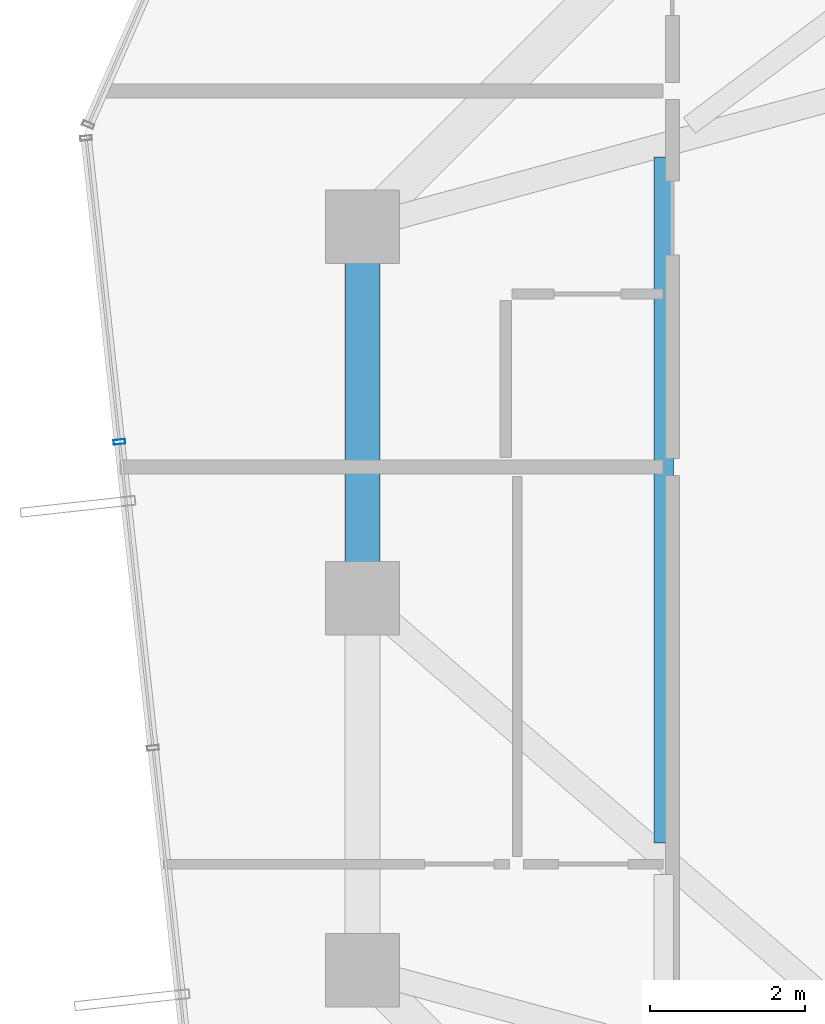
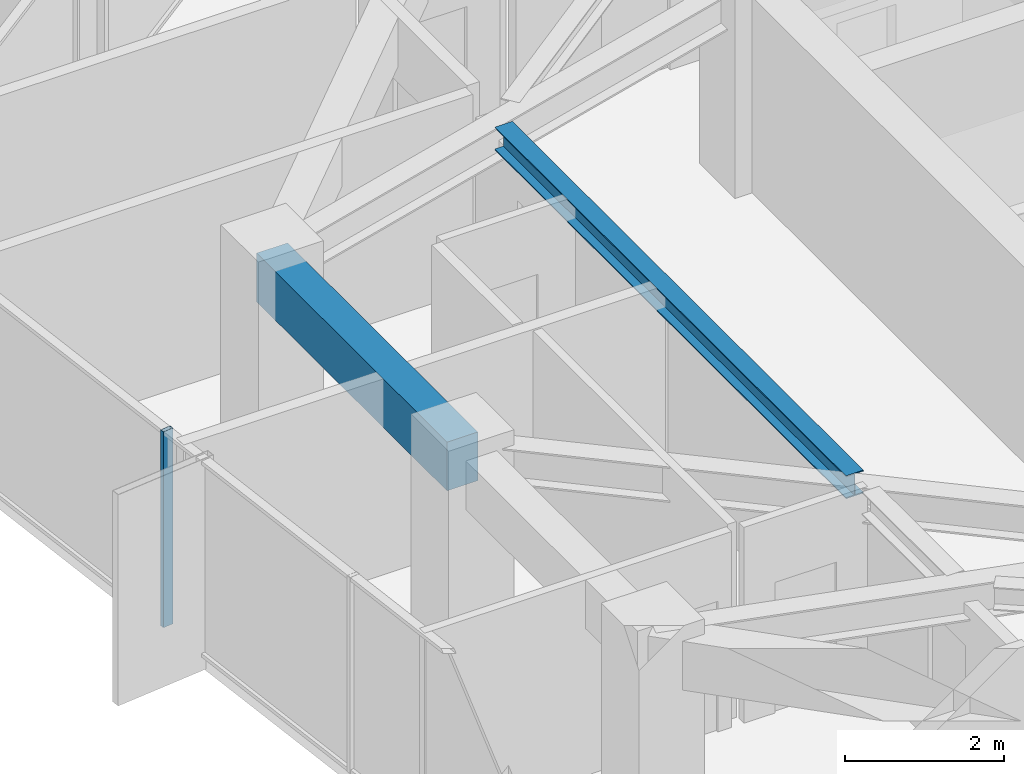
# One storey, part 12 of 32: 2 beams, 1 member, 1 element without a shape of its own.
"""IFC4 building model written with IfcOpenShell, lengths in metres."""

from ifc_helpers import new_model, si_unit, direction, frame, origin, origin_2d, place, context, subcontext, project, spatial, rectangle, hollow_rectangle, i_section, extrude, source, transform, mapped, material, layer, layer_set, material_profile, profile_set, type_object, element, aggregate, save


model = new_model("IFC4")

# Units and contexts
model_context = context("Model", 3, precision=1e-05, world=origin(), true_north=direction((0.0, 1.0)))
body_context = subcontext(model_context, "Body", "Model", "MODEL_VIEW")
ifc_project = project(units=[si_unit("LENGTHUNIT", "METRE"), si_unit("AREAUNIT", "SQUARE_METRE"), si_unit("VOLUMEUNIT", "CUBIC_METRE"), si_unit("PLANEANGLEUNIT", "RADIAN"), si_unit("MASSUNIT", "GRAM", prefix="KILO")], contexts=[model_context])

# Site, building, storey
site_placement = place(None, origin())
site = spatial("IfcSite", under=ifc_project, at=site_placement, CompositionType="ELEMENT")
building_placement = place(site_placement, origin())
building = spatial("IfcBuilding", under=site, at=building_placement, Name="Veraguas Prism Commons", CompositionType="ELEMENT")
storey_placement = place(building_placement, frame((0.0, 0.0, 185.35009765625)))
storey = spatial("IfcBuildingStorey", under=building, at=storey_placement, Name="L52", CompositionType="ELEMENT", Elevation=185.35009765625)

# Beams
ifc_material_1 = material(Name="Concrete C50/60", Category="concrete")
ifc_material_profile_1 = material_profile(ifc_material_1, rectangle(XDim=0.449951171875, YDim=0.75, at=origin_2d()), Name="RC450X750")
ifc_profile_set_1 = profile_set([ifc_material_profile_1], Name="Concrete C50/60")
beam_type_1 = type_object("IfcBeamType", Name="Perimeter Spandrel Upper RC 450x750", PredefinedType="SPANDREL", material=ifc_profile_set_1)
beam_1_placement = place(storey_placement, frame((9.10009765625, 28.800048828125, 2.639892578125), z_axis=(0.0, -1.0, 0.0), x_axis=(1.0, 0.0, 0.0)))
element("IfcBeam", 1, at=beam_1_placement, inside=storey, type_object=beam_type_1, Name="Perimeter Spandrel Beam L52-SP07", PredefinedType="SPANDREL", context=body_context, shape_type="SweptSolid", body=[
    extrude(rectangle(XDim=0.449951171875, YDim=0.75, at=origin_2d()), origin(), (0.0, 0.0, 1.0), 4.800048828125),
])
ifc_material_2 = material(Name="Steel ASTM A992 Grade 50", Category="steel")
ifc_material_profile_2 = material_profile(ifc_material_2, i_section(OverallWidth=0.25390625, OverallDepth=0.35302734375, WebThickness=0.009521484375, FlangeThickness=0.016357421875, at=origin_2d()), Name="W360X91")
ifc_profile_set_2 = profile_set([ifc_material_profile_2], Name="Steel ASTM A992 Grade 50")
beam_type_2 = type_object("IfcBeamType", Name="Upper Floor Joist W360x91", PredefinedType="JOIST", material=ifc_profile_set_2)
beam_2_placement = place(storey_placement, frame((12.988037109375, 29.697021484375, 2.83837890625), z_axis=(0.0, -1.0, 0.0), x_axis=(1.0, 0.0, 0.0)))
element("IfcBeam", 2, at=beam_2_placement, inside=storey, type_object=beam_type_2, Name="Composite Floor Joist L52-JS07", PredefinedType="JOIST", context=body_context, shape_type="SweptSolid", body=[
    extrude(i_section(OverallWidth=0.25390625, OverallDepth=0.35302734375, WebThickness=0.009521484375, FlangeThickness=0.016357421875, at=origin_2d()), origin(), (0.0, 0.0, 1.0), 8.85400390625),
])

# Curtain wall, member
ifc_material_3 = material(Name="Anodised aluminium EN AW-6063 T6", Category="aluminium")
ifc_layer = layer(ifc_material_3, 0.14990234375, Name="Unitised Flush Curtain Wall Zone 3", Category="aluminium")
ifc_layer_set = layer_set([ifc_layer], Name="Anodised aluminium EN AW-6063 T6")
curtain_wall_type = type_object("IfcCurtainWallType", Name="Unitised Flush Curtain Wall Zone 3", PredefinedType="NOTDEFINED", material=ifc_layer_set)
curtain_wall_placement = place(storey_placement, origin())
curtain_wall = element("IfcCurtainWall", 3, at=curtain_wall_placement, inside=storey, type_object=curtain_wall_type, Name="Tower Facade Curtain Wall L52-F3", PredefinedType="NOTDEFINED")
ifc_material_profile_3 = material_profile(ifc_material_3, hollow_rectangle(XDim=0.06005859375, YDim=0.14990234375, WallThickness=0.0029296875, at=origin_2d()), Name="AL60X150X3")
ifc_profile_set_3 = profile_set([ifc_material_profile_3], Name="Anodised aluminium EN AW-6063 T6")
member_type = type_object("IfcMemberType", Name="Curtain Wall Mullion Upper AL 60x150x3", PredefinedType="MULLION", material=ifc_profile_set_3)
shared_shape = source(origin(), body_context, "Body", "SweptSolid", [
    extrude(hollow_rectangle(XDim=0.06005859375, YDim=0.14990234375, WallThickness=0.0029296875, at=origin_2d()), origin(), (0.0, 0.0, 1.0), 3.014892578125),
])
member_placement = place(storey_placement, frame((5.9619140625, 26.020751953125, 0.0), z_axis=(0.0, 0.0, 1.0), x_axis=(0.109045573519, -0.99403675128, 0.0)))
member = element("IfcMember", 4, at=member_placement, type_object=member_type, Name="CW-Z3 Mullion 2", PredefinedType="MULLION", context=body_context, shape_type="MappedRepresentation", body=[
    mapped(shared_shape, transform((0.0, 0.0, 0.0), scale=1.0)),
])
aggregate(curtain_wall, [member])

save(model, "model.ifc")
